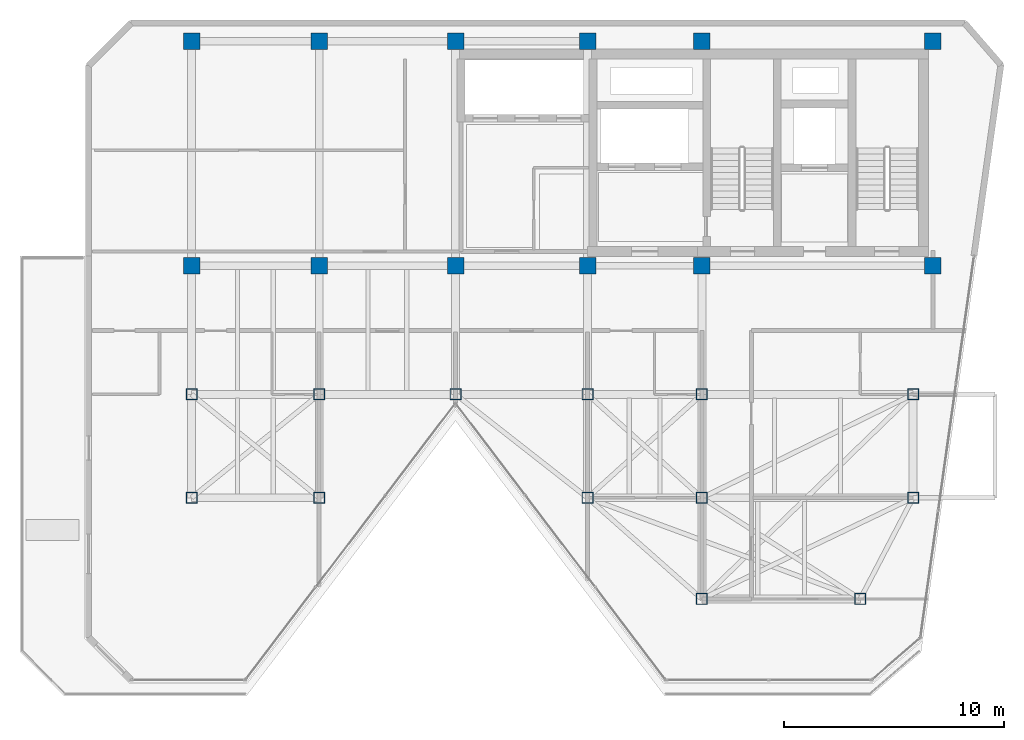
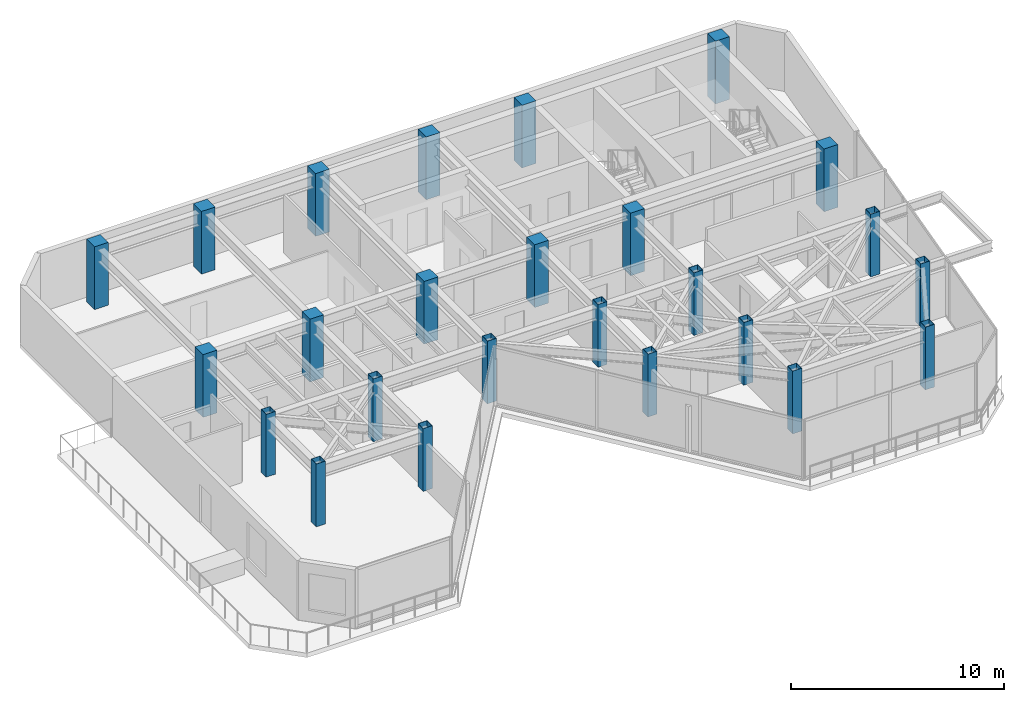
# One storey, part 1 of 17: 25 columns.
"""IFC4 building model written with IfcOpenShell, lengths in metres."""

from ifc_helpers import new_model, si_unit, direction, frame, origin, origin_2d, place, context, subcontext, project, spatial, rectangle, hollow_rectangle, extrude, material, material_profile, profile_set, type_object, element, save


model = new_model("IFC4")

# Units and contexts
model_context = context("Model", 3, precision=1e-05, world=origin(), true_north=direction((0.0, 1.0)))
body_context = subcontext(model_context, "Body", "Model", "MODEL_VIEW")
ifc_project = project(units=[si_unit("LENGTHUNIT", "METRE"), si_unit("AREAUNIT", "SQUARE_METRE"), si_unit("VOLUMEUNIT", "CUBIC_METRE"), si_unit("PLANEANGLEUNIT", "RADIAN"), si_unit("MASSUNIT", "GRAM", prefix="KILO")], contexts=[model_context])

# Site, building, storey
site_placement = place(None, origin())
site = spatial("IfcSite", under=ifc_project, at=site_placement, CompositionType="ELEMENT")
building_placement = place(site_placement, origin())
building = spatial("IfcBuilding", under=site, at=building_placement, Name="Kravanh Interchange Tower", CompositionType="ELEMENT")
storey_placement = place(building_placement, frame((0.0, 0.0, 263.39990234375)))
storey = spatial("IfcBuildingStorey", under=building, at=storey_placement, Name="L64", CompositionType="ELEMENT", Elevation=263.39990234375)

# Columns
ifc_material_1 = material(Name="Structural Steel S355", Category="steel")
ifc_material_profile_1 = material_profile(ifc_material_1, hollow_rectangle(XDim=0.5, YDim=0.5, WallThickness=0.02001953125, at=origin_2d()), Name="HSS500X500X20")
ifc_profile_set_1 = profile_set([ifc_material_profile_1], Name="Structural Steel S355")
column_type_1 = type_object("IfcColumnType", Name="Column HSS500X500X20 Structural Steel S355", PredefinedType="COLUMN", material=ifc_profile_set_1)
for number, where, z_axis, x_axis, name in (
    (1, (44.800048828125, 31.5, 0.0), (0.0, 0.0, 1.0), (1.0, 0.0, 0.0), "L64 Column CH_E1"),
    (2, (50.800048828125, 31.5, 0.0), (0.0, 0.0, 1.0), (1.0, 0.0, 0.0), "L64 Column CH_E2"),
    (3, (56.0, 31.5, 0.0), (0.0, 0.0, 1.0), (1.0, 0.0, 0.0), "L64 Column CH_E3"),
    (4, (65.60009765625, 31.5, 0.0), (0.0, 0.0, 1.0), (1.0, 0.0, 0.0), "L64 Column CH_E4"),
    (5, (38.60009765625, 31.5, 0.0), (0.0, 0.0, 1.0), (1.0, 0.0, 0.0), "L64 Column CH_E5"),
    (6, (32.800048828125, 31.5, 0.0), (0.0, 0.0, 1.0), (1.0, 0.0, 0.0), "L64 Column CH_E6"),
    (7, (38.60009765625, 26.800048828125, 0.0), (0.0, 0.0, 1.0), (1.0, 0.0, 0.0), "L64 Column CH_S1"),
    (8, (50.800048828125, 26.800048828125, 0.0), (0.0, 0.0, 1.0), (1.0, 0.0, 0.0), "L64 Column CH_S2"),
    (9, (56.0, 26.800048828125, 0.0), (0.0, 0.0, 1.0), (1.0, 0.0, 0.0), "L64 Column CH_S3"),
    (10, (65.60009765625, 26.800048828125, 0.0), (0.0, 0.0, 1.0), (1.0, 0.0, 0.0), "L64 Column CH_S4"),
    (11, (56.0, 22.199951171875, 0.0), (0.0, 0.0, 1.0), (1.0, 0.0, 0.0), "L64 Column CH_S5"),
    (12, (63.199951171875, 22.199951171875, 0.0), (0.0, 0.0, 1.0), (1.0, 0.0, 0.0), "L64 Column CH_S6"),
    (13, (32.800048828125, 26.800048828125, 0.0), (0.0, 0.0, 1.0), (1.0, 0.0, 0.0), "L64 Column CH_W3"),
):
    element("IfcColumn", number, at=place(storey_placement, frame(where, z_axis=z_axis, x_axis=x_axis)), inside=storey, type_object=column_type_1, Name=name, PredefinedType="COLUMN", context=body_context, shape_type="SweptSolid", body=[
        extrude(hollow_rectangle(XDim=0.5, YDim=0.5, WallThickness=0.02001953125, at=origin_2d()), origin(), (0.0, 0.0, 1.0), 3.60009765625),
    ])
ifc_material_2 = material(Name="Concrete C60/75", Category="concrete")
ifc_material_profile_2 = material_profile(ifc_material_2, rectangle(XDim=0.75, YDim=0.75, at=origin_2d()), Name="RC750X750")
ifc_profile_set_2 = profile_set([ifc_material_profile_2], Name="Concrete C60/75")
column_type_2 = type_object("IfcColumnType", Name="Column RC750X750 Concrete C60/75", PredefinedType="COLUMN", material=ifc_profile_set_2)
for number, where, z_axis, x_axis, name in (
    (14, (66.5, 47.550048828125, 0.0), (0.0, 0.0, 1.0), (1.0, 0.0, 0.0), "L64 Column CS01"),
    (15, (56.0, 47.550048828125, 0.0), (0.0, 0.0, 1.0), (1.0, 0.0, 0.0), "L64 Column CS02"),
    (16, (66.5, 37.35009765625, 0.0), (0.0, 0.0, 1.0), (1.0, 0.0, 0.0), "L64 Column CS03"),
    (17, (56.0, 37.35009765625, 0.0), (0.0, 0.0, 1.0), (1.0, 0.0, 0.0), "L64 Column CS04"),
    (18, (50.800048828125, 47.550048828125, 0.0), (0.0, 0.0, 1.0), (1.0, 0.0, 0.0), "L64 Column CS05"),
    (19, (50.800048828125, 37.35009765625, 0.0), (0.0, 0.0, 1.0), (1.0, 0.0, 0.0), "L64 Column CS06"),
    (20, (44.800048828125, 37.35009765625, 0.0), (0.0, 0.0, 1.0), (1.0, 0.0, 0.0), "L64 Column CS07"),
    (21, (44.800048828125, 47.550048828125, 0.0), (0.0, 0.0, 1.0), (1.0, 0.0, 0.0), "L64 Column CS08"),
    (22, (38.60009765625, 37.35009765625, 0.0), (0.0, 0.0, 1.0), (1.0, 0.0, 0.0), "L64 Column CS09"),
    (23, (38.60009765625, 47.550048828125, 0.0), (0.0, 0.0, 1.0), (1.0, 0.0, 0.0), "L64 Column CS10"),
    (24, (32.800048828125, 37.35009765625, 0.0), (0.0, 0.0, 1.0), (1.0, 0.0, 0.0), "L64 Column CS11"),
    (25, (32.800048828125, 47.550048828125, 0.0), (0.0, 0.0, 1.0), (1.0, 0.0, 0.0), "L64 Column CS12"),
):
    element("IfcColumn", number, at=place(storey_placement, frame(where, z_axis=z_axis, x_axis=x_axis)), inside=storey, type_object=column_type_2, Name=name, PredefinedType="COLUMN", context=body_context, shape_type="SweptSolid", body=[
        extrude(rectangle(XDim=0.75, YDim=0.75, at=origin_2d()), origin(), (0.0, 0.0, 1.0), 3.60009765625),
    ])

save(model, "model.ifc")
